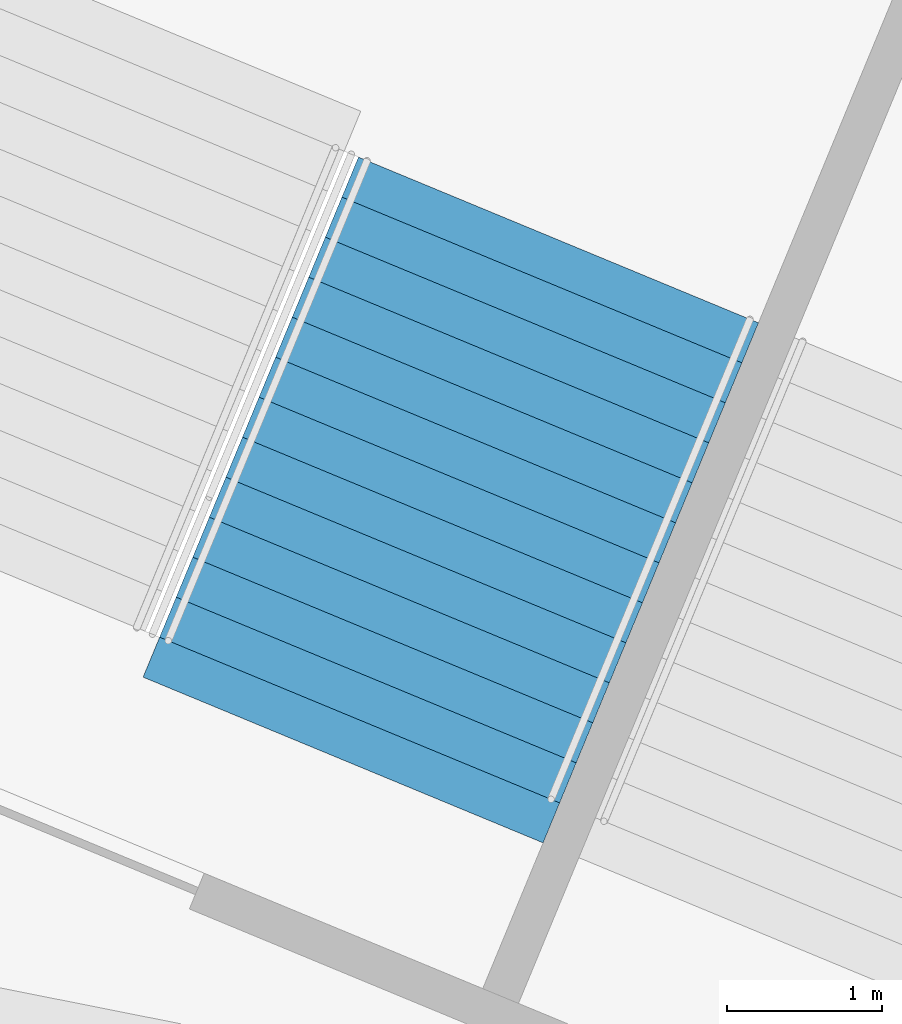
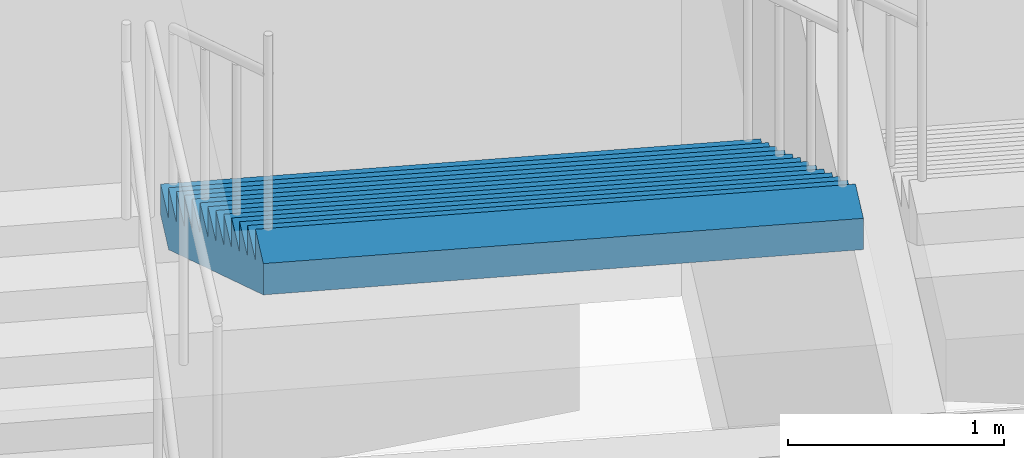
# One storey, part 180 of 199: 1 stair flight, 1 element without a shape of its own.
"""IFC4 building model written with IfcOpenShell, lengths in metres."""

from ifc_helpers import new_model, si_unit, direction, frame, origin, place, context, subcontext, project, spatial, faceted_brep, material, type_object, element, aggregate, save


model = new_model("IFC4")

# Units and contexts
model_context = context("Model", 3, precision=1e-05, world=origin(), true_north=direction((0.0, 1.0)))
body_context = subcontext(model_context, "Body", "Model", "MODEL_VIEW")
ifc_project = project(units=[si_unit("LENGTHUNIT", "METRE"), si_unit("AREAUNIT", "SQUARE_METRE"), si_unit("VOLUMEUNIT", "CUBIC_METRE"), si_unit("PLANEANGLEUNIT", "RADIAN"), si_unit("MASSUNIT", "GRAM", prefix="KILO")], contexts=[model_context])

# Site, building, storey
site_placement = place(None, origin())
site = spatial("IfcSite", under=ifc_project, at=site_placement, CompositionType="ELEMENT")
building_placement = place(site_placement, origin())
building = spatial("IfcBuilding", under=site, at=building_placement, Name="Ogive Plaza Stadium", CompositionType="ELEMENT")
storey_placement = place(building_placement, frame((0.0, 0.0, 9.0)))
storey = spatial("IfcBuildingStorey", under=building, at=storey_placement, Name="L02", CompositionType="ELEMENT", Elevation=9.0)

# Stair, stair flight
ifc_material_1 = material(Name="Concrete C40/50", Category="concrete")
stair_type = type_object("IfcStairType", Name="Exit stair", PredefinedType="STRAIGHT_RUN_STAIR", material=ifc_material_1)
stair_placement = place(storey_placement, origin())
stair = element("IfcStair", 1, at=stair_placement, inside=storey, type_object=stair_type, Name="Exit stair ST38B L02 to L03", PredefinedType="STRAIGHT_RUN_STAIR")
ifc_material_2 = material(Name="Concrete C40/50", Category="concrete")
stair_flight_type = type_object("IfcStairFlightType", Name="Exit stair flight", PredefinedType="STRAIGHT", material=ifc_material_2)
stair_flight_placement = place(storey_placement, frame((50.08349609375, 95.314208984375, 2.25), z_axis=(0.0, 0.0, 1.0), x_axis=(-0.382683432365, -0.923879532511, 0.0)))
stair_flight = element("IfcStairFlight", 2, at=stair_flight_placement, type_object=stair_flight_type, Name="ST38B flight 2", NumberOfRisers=13, NumberOfTreads=12, PredefinedType="STRAIGHT", RiserHeight=0.173076923, TreadLength=0.28, context=body_context, shape_type="Brep", body=[
    faceted_brep([(0.28515625, -1.39990234375, 0.0), (3.639892578125, -1.39990234375, 2.07373046875), (3.639892578125, -1.39990234375, 2.25), (3.360107421875, -1.39990234375, 2.25), (3.360107421875, -1.39990234375, 2.076904296875), (3.080078125, -1.39990234375, 2.076904296875), (3.080078125, -1.39990234375, 1.90380859375), (2.800048828125, -1.39990234375, 1.90380859375), (2.800048828125, -1.39990234375, 1.730712890625), (2.52001953125, -1.39990234375, 1.730712890625), (2.52001953125, -1.39990234375, 1.5576171875), (2.239990234375, -1.39990234375, 1.5576171875), (2.239990234375, -1.39990234375, 1.384521484375), (1.9599609375, -1.39990234375, 1.384521484375), (1.9599609375, -1.39990234375, 1.21142578125), (1.679931640625, -1.39990234375, 1.21142578125), (1.679931640625, -1.39990234375, 1.03857421875), (1.39990234375, -1.39990234375, 1.03857421875), (1.39990234375, -1.39990234375, 0.865478515625), (1.1201171875, -1.39990234375, 0.865478515625), (1.1201171875, -1.39990234375, 0.6923828125), (0.840087890625, -1.39990234375, 0.6923828125), (0.840087890625, -1.39990234375, 0.519287109375), (0.56005859375, -1.39990234375, 0.519287109375), (0.56005859375, -1.39990234375, 0.34619140625), (0.280029296875, -1.39990234375, 0.34619140625), (0.280029296875, -1.39990234375, 0.173095703125), (0.0, -1.39990234375, 0.173095703125), (0.0, -1.39990234375, 0.0), (0.0, 1.39990234375, 0.0), (0.0, 1.39990234375, 0.173095703125), (0.280029296875, 1.39990234375, 0.173095703125), (0.280029296875, 1.39990234375, 0.34619140625), (0.56005859375, 1.39990234375, 0.34619140625), (0.56005859375, 1.39990234375, 0.519287109375), (0.840087890625, 1.39990234375, 0.519287109375), (0.840087890625, 1.39990234375, 0.6923828125), (1.1201171875, 1.39990234375, 0.6923828125), (1.1201171875, 1.39990234375, 0.865478515625), (1.39990234375, 1.39990234375, 0.865478515625), (1.39990234375, 1.39990234375, 1.03857421875), (1.679931640625, 1.39990234375, 1.03857421875), (1.679931640625, 1.39990234375, 1.21142578125), (1.9599609375, 1.39990234375, 1.21142578125), (1.9599609375, 1.39990234375, 1.384521484375), (2.239990234375, 1.39990234375, 1.384521484375), (2.239990234375, 1.39990234375, 1.5576171875), (2.52001953125, 1.39990234375, 1.5576171875), (2.52001953125, 1.39990234375, 1.730712890625), (2.800048828125, 1.39990234375, 1.730712890625), (2.800048828125, 1.39990234375, 1.90380859375), (3.080078125, 1.39990234375, 1.90380859375), (3.080078125, 1.39990234375, 2.076904296875), (3.360107421875, 1.39990234375, 2.076904296875), (3.360107421875, 1.39990234375, 2.25), (3.639892578125, 1.39990234375, 2.25), (3.639892578125, 1.39990234375, 2.07373046875), (0.28515625, 1.39990234375, 0.0), (0.28515625, -1.0888671875, 0.0), (3.639892578125, -1.0888671875, 2.07373046875), (0.28515625, -0.77783203125, 0.0), (3.639892578125, -0.77783203125, 2.07373046875), (0.28515625, -0.466796875, 0.0), (3.639892578125, -0.466796875, 2.07373046875), (0.28515625, -0.155517578125, 0.0), (3.639892578125, -0.155517578125, 2.07373046875), (0.28515625, 0.155517578125, 0.0), (3.639892578125, 0.155517578125, 2.07373046875), (0.28515625, 0.466796875, 0.0), (3.639892578125, 0.466796875, 2.07373046875), (0.28515625, 0.77783203125, 0.0), (3.639892578125, 0.77783203125, 2.07373046875), (0.28515625, 1.0888671875, 0.0), (3.639892578125, 1.0888671875, 2.07373046875), (3.639892578125, -1.0888671875, 2.25), (3.639892578125, -0.77783203125, 2.25), (3.639892578125, -0.466796875, 2.25), (3.639892578125, -0.155517578125, 2.25), (3.639892578125, 0.155517578125, 2.25), (3.639892578125, 0.466796875, 2.25), (3.639892578125, 0.77783203125, 2.25), (3.639892578125, 1.0888671875, 2.25), (3.360107421875, -1.0888671875, 2.25), (3.360107421875, -0.77783203125, 2.25), (3.360107421875, -0.466796875, 2.25), (3.360107421875, -0.155517578125, 2.25), (3.360107421875, 0.155517578125, 2.25), (3.360107421875, 0.466796875, 2.25), (3.360107421875, 0.77783203125, 2.25), (3.360107421875, 1.0888671875, 2.25), (3.360107421875, -1.0888671875, 2.076904296875), (3.360107421875, -0.77783203125, 2.076904296875), (3.360107421875, -0.466796875, 2.076904296875), (3.360107421875, -0.155517578125, 2.076904296875), (3.360107421875, 0.155517578125, 2.076904296875), (3.360107421875, 0.466796875, 2.076904296875), (3.360107421875, 0.77783203125, 2.076904296875), (3.360107421875, 1.0888671875, 2.076904296875), (3.080078125, -1.0888671875, 2.076904296875), (3.080078125, -0.77783203125, 2.076904296875), (3.080078125, -0.466796875, 2.076904296875), (3.080078125, -0.155517578125, 2.076904296875), (3.080078125, 0.155517578125, 2.076904296875), (3.080078125, 0.466796875, 2.076904296875), (3.080078125, 0.77783203125, 2.076904296875), (3.080078125, 1.0888671875, 2.076904296875), (3.080078125, -1.0888671875, 1.90380859375), (3.080078125, -0.77783203125, 1.90380859375), (3.080078125, -0.466796875, 1.90380859375), (3.080078125, -0.155517578125, 1.90380859375), (3.080078125, 0.155517578125, 1.90380859375), (3.080078125, 0.466796875, 1.90380859375), (3.080078125, 0.77783203125, 1.90380859375), (3.080078125, 1.0888671875, 1.90380859375), (2.800048828125, -1.0888671875, 1.90380859375), (2.800048828125, -0.77783203125, 1.90380859375), (2.800048828125, -0.466796875, 1.90380859375), (2.800048828125, -0.155517578125, 1.90380859375), (2.800048828125, 0.155517578125, 1.90380859375), (2.800048828125, 0.466796875, 1.90380859375), (2.800048828125, 0.77783203125, 1.90380859375), (2.800048828125, 1.0888671875, 1.90380859375), (2.800048828125, -1.0888671875, 1.730712890625), (2.800048828125, -0.77783203125, 1.730712890625), (2.800048828125, -0.466796875, 1.730712890625), (2.800048828125, -0.155517578125, 1.730712890625), (2.800048828125, 0.155517578125, 1.730712890625), (2.800048828125, 0.466796875, 1.730712890625), (2.800048828125, 0.77783203125, 1.730712890625), (2.800048828125, 1.0888671875, 1.730712890625), (2.52001953125, -1.0888671875, 1.730712890625), (2.52001953125, -0.77783203125, 1.730712890625), (2.52001953125, -0.466796875, 1.730712890625), (2.52001953125, -0.155517578125, 1.730712890625), (2.52001953125, 0.155517578125, 1.730712890625), (2.52001953125, 0.466796875, 1.730712890625), (2.52001953125, 0.77783203125, 1.730712890625), (2.52001953125, 1.0888671875, 1.730712890625), (2.52001953125, -1.0888671875, 1.5576171875), (2.52001953125, -0.77783203125, 1.5576171875), (2.52001953125, -0.466796875, 1.5576171875), (2.52001953125, -0.155517578125, 1.5576171875), (2.52001953125, 0.155517578125, 1.5576171875), (2.52001953125, 0.466796875, 1.5576171875), (2.52001953125, 0.77783203125, 1.5576171875), (2.52001953125, 1.0888671875, 1.5576171875), (2.239990234375, -1.0888671875, 1.5576171875), (2.239990234375, -0.77783203125, 1.5576171875), (2.239990234375, -0.466796875, 1.5576171875), (2.239990234375, -0.155517578125, 1.5576171875), (2.239990234375, 0.155517578125, 1.5576171875), (2.239990234375, 0.466796875, 1.5576171875), (2.239990234375, 0.77783203125, 1.5576171875), (2.239990234375, 1.0888671875, 1.5576171875), (2.239990234375, -1.0888671875, 1.384521484375), (2.239990234375, -0.77783203125, 1.384521484375), (2.239990234375, -0.466796875, 1.384521484375), (2.239990234375, -0.155517578125, 1.384521484375), (2.239990234375, 0.155517578125, 1.384521484375), (2.239990234375, 0.466796875, 1.384521484375), (2.239990234375, 0.77783203125, 1.384521484375), (2.239990234375, 1.0888671875, 1.384521484375), (1.9599609375, -1.0888671875, 1.384521484375), (1.9599609375, -0.77783203125, 1.384521484375), (1.9599609375, -0.466796875, 1.384521484375), (1.9599609375, -0.155517578125, 1.384521484375), (1.9599609375, 0.155517578125, 1.384521484375), (1.9599609375, 0.466796875, 1.384521484375), (1.9599609375, 0.77783203125, 1.384521484375), (1.9599609375, 1.0888671875, 1.384521484375), (1.9599609375, -1.0888671875, 1.21142578125), (1.9599609375, -0.77783203125, 1.21142578125), (1.9599609375, -0.466796875, 1.21142578125), (1.9599609375, -0.155517578125, 1.21142578125), (1.9599609375, 0.155517578125, 1.21142578125), (1.9599609375, 0.466796875, 1.21142578125), (1.9599609375, 0.77783203125, 1.21142578125), (1.9599609375, 1.0888671875, 1.21142578125), (1.679931640625, -1.0888671875, 1.21142578125), (1.679931640625, -0.77783203125, 1.21142578125), (1.679931640625, -0.466796875, 1.21142578125), (1.679931640625, -0.155517578125, 1.21142578125), (1.679931640625, 0.155517578125, 1.21142578125), (1.679931640625, 0.466796875, 1.21142578125), (1.679931640625, 0.77783203125, 1.21142578125), (1.679931640625, 1.0888671875, 1.21142578125), (1.679931640625, -1.0888671875, 1.03857421875), (1.679931640625, -0.77783203125, 1.03857421875), (1.679931640625, -0.466796875, 1.03857421875), (1.679931640625, -0.155517578125, 1.03857421875), (1.679931640625, 0.155517578125, 1.03857421875), (1.679931640625, 0.466796875, 1.03857421875), (1.679931640625, 0.77783203125, 1.03857421875), (1.679931640625, 1.0888671875, 1.03857421875), (1.39990234375, -1.0888671875, 1.03857421875), (1.39990234375, -0.77783203125, 1.03857421875), (1.39990234375, -0.466796875, 1.03857421875), (1.39990234375, -0.155517578125, 1.03857421875), (1.39990234375, 0.155517578125, 1.03857421875), (1.39990234375, 0.466796875, 1.03857421875), (1.39990234375, 0.77783203125, 1.03857421875), (1.39990234375, 1.0888671875, 1.03857421875), (1.39990234375, -1.0888671875, 0.865478515625), (1.39990234375, -0.77783203125, 0.865478515625), (1.39990234375, -0.466796875, 0.865478515625), (1.39990234375, -0.155517578125, 0.865478515625), (1.39990234375, 0.155517578125, 0.865478515625), (1.39990234375, 0.466796875, 0.865478515625), (1.39990234375, 0.77783203125, 0.865478515625), (1.39990234375, 1.0888671875, 0.865478515625), (1.1201171875, -1.0888671875, 0.865478515625), (1.1201171875, -0.77783203125, 0.865478515625), (1.1201171875, -0.466796875, 0.865478515625), (1.1201171875, -0.155517578125, 0.865478515625), (1.1201171875, 0.155517578125, 0.865478515625), (1.1201171875, 0.466796875, 0.865478515625), (1.1201171875, 0.77783203125, 0.865478515625), (1.1201171875, 1.0888671875, 0.865478515625), (1.1201171875, -1.0888671875, 0.6923828125), (1.1201171875, -0.77783203125, 0.6923828125), (1.1201171875, -0.466796875, 0.6923828125), (1.1201171875, -0.155517578125, 0.6923828125), (1.1201171875, 0.155517578125, 0.6923828125), (1.1201171875, 0.466796875, 0.6923828125), (1.1201171875, 0.77783203125, 0.6923828125), (1.1201171875, 1.0888671875, 0.6923828125), (0.840087890625, -1.0888671875, 0.6923828125), (0.840087890625, -0.77783203125, 0.6923828125), (0.840087890625, -0.466796875, 0.6923828125), (0.840087890625, -0.155517578125, 0.6923828125), (0.840087890625, 0.155517578125, 0.6923828125), (0.840087890625, 0.466796875, 0.6923828125), (0.840087890625, 0.77783203125, 0.6923828125), (0.840087890625, 1.0888671875, 0.6923828125), (0.840087890625, -1.0888671875, 0.519287109375), (0.840087890625, -0.77783203125, 0.519287109375), (0.840087890625, -0.466796875, 0.519287109375), (0.840087890625, -0.155517578125, 0.519287109375), (0.840087890625, 0.155517578125, 0.519287109375), (0.840087890625, 0.466796875, 0.519287109375), (0.840087890625, 0.77783203125, 0.519287109375), (0.840087890625, 1.0888671875, 0.519287109375), (0.56005859375, -1.0888671875, 0.519287109375), (0.56005859375, -0.77783203125, 0.519287109375), (0.56005859375, -0.466796875, 0.519287109375), (0.56005859375, -0.155517578125, 0.519287109375), (0.56005859375, 0.155517578125, 0.519287109375), (0.56005859375, 0.466796875, 0.519287109375), (0.56005859375, 0.77783203125, 0.519287109375), (0.56005859375, 1.0888671875, 0.519287109375), (0.56005859375, -1.0888671875, 0.34619140625), (0.56005859375, -0.77783203125, 0.34619140625), (0.56005859375, -0.466796875, 0.34619140625), (0.56005859375, -0.155517578125, 0.34619140625), (0.56005859375, 0.155517578125, 0.34619140625), (0.56005859375, 0.466796875, 0.34619140625), (0.56005859375, 0.77783203125, 0.34619140625), (0.56005859375, 1.0888671875, 0.34619140625), (0.280029296875, -1.0888671875, 0.34619140625), (0.280029296875, -0.77783203125, 0.34619140625), (0.280029296875, -0.466796875, 0.34619140625), (0.280029296875, -0.155517578125, 0.34619140625), (0.280029296875, 0.155517578125, 0.34619140625), (0.280029296875, 0.466796875, 0.34619140625), (0.280029296875, 0.77783203125, 0.34619140625), (0.280029296875, 1.0888671875, 0.34619140625), (0.280029296875, -1.0888671875, 0.173095703125), (0.280029296875, -0.77783203125, 0.173095703125), (0.280029296875, -0.466796875, 0.173095703125), (0.280029296875, -0.155517578125, 0.173095703125), (0.280029296875, 0.155517578125, 0.173095703125), (0.280029296875, 0.466796875, 0.173095703125), (0.280029296875, 0.77783203125, 0.173095703125), (0.280029296875, 1.0888671875, 0.173095703125), (0.0, -1.0888671875, 0.173095703125), (0.0, -0.77783203125, 0.173095703125), (0.0, -0.466796875, 0.173095703125), (0.0, -0.155517578125, 0.173095703125), (0.0, 0.155517578125, 0.173095703125), (0.0, 0.466796875, 0.173095703125), (0.0, 0.77783203125, 0.173095703125), (0.0, 1.0888671875, 0.173095703125), (0.0, -1.0888671875, 0.0), (0.0, -0.77783203125, 0.0), (0.0, -0.466796875, 0.0), (0.0, -0.155517578125, 0.0), (0.0, 0.155517578125, 0.0), (0.0, 0.466796875, 0.0), (0.0, 0.77783203125, 0.0), (0.0, 1.0888671875, 0.0)], [[[0, 1, 2, 3, 4, 5, 6, 7, 8, 9, 10, 11, 12, 13, 14, 15, 16, 17, 18, 19, 20, 21, 22, 23, 24, 25, 26, 27, 28]], [[29, 30, 31, 32, 33, 34, 35, 36, 37, 38, 39, 40, 41, 42, 43, 44, 45, 46, 47, 48, 49, 50, 51, 52, 53, 54, 55, 56, 57]], [[0, 58, 59, 1]], [[58, 60, 61, 59]], [[60, 62, 63, 61]], [[62, 64, 65, 63]], [[64, 66, 67, 65]], [[66, 68, 69, 67]], [[68, 70, 71, 69]], [[70, 72, 73, 71]], [[72, 57, 56, 73]], [[1, 59, 74, 2]], [[59, 61, 75, 74]], [[61, 63, 76, 75]], [[63, 65, 77, 76]], [[65, 67, 78, 77]], [[67, 69, 79, 78]], [[69, 71, 80, 79]], [[71, 73, 81, 80]], [[73, 56, 55, 81]], [[2, 74, 82, 3]], [[74, 75, 83, 82]], [[75, 76, 84, 83]], [[76, 77, 85, 84]], [[77, 78, 86, 85]], [[78, 79, 87, 86]], [[79, 80, 88, 87]], [[80, 81, 89, 88]], [[81, 55, 54, 89]], [[3, 82, 90, 4]], [[82, 83, 91, 90]], [[83, 84, 92, 91]], [[84, 85, 93, 92]], [[85, 86, 94, 93]], [[86, 87, 95, 94]], [[87, 88, 96, 95]], [[88, 89, 97, 96]], [[89, 54, 53, 97]], [[4, 90, 98, 5]], [[90, 91, 99, 98]], [[91, 92, 100, 99]], [[92, 93, 101, 100]], [[93, 94, 102, 101]], [[94, 95, 103, 102]], [[95, 96, 104, 103]], [[96, 97, 105, 104]], [[97, 53, 52, 105]], [[5, 98, 106, 6]], [[98, 99, 107, 106]], [[99, 100, 108, 107]], [[100, 101, 109, 108]], [[101, 102, 110, 109]], [[102, 103, 111, 110]], [[103, 104, 112, 111]], [[104, 105, 113, 112]], [[105, 52, 51, 113]], [[6, 106, 114, 7]], [[106, 107, 115, 114]], [[107, 108, 116, 115]], [[108, 109, 117, 116]], [[109, 110, 118, 117]], [[110, 111, 119, 118]], [[111, 112, 120, 119]], [[112, 113, 121, 120]], [[113, 51, 50, 121]], [[7, 114, 122, 8]], [[114, 115, 123, 122]], [[115, 116, 124, 123]], [[116, 117, 125, 124]], [[117, 118, 126, 125]], [[118, 119, 127, 126]], [[119, 120, 128, 127]], [[120, 121, 129, 128]], [[121, 50, 49, 129]], [[8, 122, 130, 9]], [[122, 123, 131, 130]], [[123, 124, 132, 131]], [[124, 125, 133, 132]], [[125, 126, 134, 133]], [[126, 127, 135, 134]], [[127, 128, 136, 135]], [[128, 129, 137, 136]], [[129, 49, 48, 137]], [[9, 130, 138, 10]], [[130, 131, 139, 138]], [[131, 132, 140, 139]], [[132, 133, 141, 140]], [[133, 134, 142, 141]], [[134, 135, 143, 142]], [[135, 136, 144, 143]], [[136, 137, 145, 144]], [[137, 48, 47, 145]], [[10, 138, 146, 11]], [[138, 139, 147, 146]], [[139, 140, 148, 147]], [[140, 141, 149, 148]], [[141, 142, 150, 149]], [[142, 143, 151, 150]], [[143, 144, 152, 151]], [[144, 145, 153, 152]], [[145, 47, 46, 153]], [[11, 146, 154, 12]], [[146, 147, 155, 154]], [[147, 148, 156, 155]], [[148, 149, 157, 156]], [[149, 150, 158, 157]], [[150, 151, 159, 158]], [[151, 152, 160, 159]], [[152, 153, 161, 160]], [[153, 46, 45, 161]], [[12, 154, 162, 13]], [[154, 155, 163, 162]], [[155, 156, 164, 163]], [[156, 157, 165, 164]], [[157, 158, 166, 165]], [[158, 159, 167, 166]], [[159, 160, 168, 167]], [[160, 161, 169, 168]], [[161, 45, 44, 169]], [[13, 162, 170, 14]], [[162, 163, 171, 170]], [[163, 164, 172, 171]], [[164, 165, 173, 172]], [[165, 166, 174, 173]], [[166, 167, 175, 174]], [[167, 168, 176, 175]], [[168, 169, 177, 176]], [[169, 44, 43, 177]], [[14, 170, 178, 15]], [[170, 171, 179, 178]], [[171, 172, 180, 179]], [[172, 173, 181, 180]], [[173, 174, 182, 181]], [[174, 175, 183, 182]], [[175, 176, 184, 183]], [[176, 177, 185, 184]], [[177, 43, 42, 185]], [[15, 178, 186, 16]], [[178, 179, 187, 186]], [[179, 180, 188, 187]], [[180, 181, 189, 188]], [[181, 182, 190, 189]], [[182, 183, 191, 190]], [[183, 184, 192, 191]], [[184, 185, 193, 192]], [[185, 42, 41, 193]], [[16, 186, 194, 17]], [[186, 187, 195, 194]], [[187, 188, 196, 195]], [[188, 189, 197, 196]], [[189, 190, 198, 197]], [[190, 191, 199, 198]], [[191, 192, 200, 199]], [[192, 193, 201, 200]], [[193, 41, 40, 201]], [[17, 194, 202, 18]], [[194, 195, 203, 202]], [[195, 196, 204, 203]], [[196, 197, 205, 204]], [[197, 198, 206, 205]], [[198, 199, 207, 206]], [[199, 200, 208, 207]], [[200, 201, 209, 208]], [[201, 40, 39, 209]], [[18, 202, 210, 19]], [[202, 203, 211, 210]], [[203, 204, 212, 211]], [[204, 205, 213, 212]], [[205, 206, 214, 213]], [[206, 207, 215, 214]], [[207, 208, 216, 215]], [[208, 209, 217, 216]], [[209, 39, 38, 217]], [[19, 210, 218, 20]], [[210, 211, 219, 218]], [[211, 212, 220, 219]], [[212, 213, 221, 220]], [[213, 214, 222, 221]], [[214, 215, 223, 222]], [[215, 216, 224, 223]], [[216, 217, 225, 224]], [[217, 38, 37, 225]], [[20, 218, 226, 21]], [[218, 219, 227, 226]], [[219, 220, 228, 227]], [[220, 221, 229, 228]], [[221, 222, 230, 229]], [[222, 223, 231, 230]], [[223, 224, 232, 231]], [[224, 225, 233, 232]], [[225, 37, 36, 233]], [[21, 226, 234, 22]], [[226, 227, 235, 234]], [[227, 228, 236, 235]], [[228, 229, 237, 236]], [[229, 230, 238, 237]], [[230, 231, 239, 238]], [[231, 232, 240, 239]], [[232, 233, 241, 240]], [[233, 36, 35, 241]], [[22, 234, 242, 23]], [[234, 235, 243, 242]], [[235, 236, 244, 243]], [[236, 237, 245, 244]], [[237, 238, 246, 245]], [[238, 239, 247, 246]], [[239, 240, 248, 247]], [[240, 241, 249, 248]], [[241, 35, 34, 249]], [[23, 242, 250, 24]], [[242, 243, 251, 250]], [[243, 244, 252, 251]], [[244, 245, 253, 252]], [[245, 246, 254, 253]], [[246, 247, 255, 254]], [[247, 248, 256, 255]], [[248, 249, 257, 256]], [[249, 34, 33, 257]], [[24, 250, 258, 25]], [[250, 251, 259, 258]], [[251, 252, 260, 259]], [[252, 253, 261, 260]], [[253, 254, 262, 261]], [[254, 255, 263, 262]], [[255, 256, 264, 263]], [[256, 257, 265, 264]], [[257, 33, 32, 265]], [[25, 258, 266, 26]], [[258, 259, 267, 266]], [[259, 260, 268, 267]], [[260, 261, 269, 268]], [[261, 262, 270, 269]], [[262, 263, 271, 270]], [[263, 264, 272, 271]], [[264, 265, 273, 272]], [[265, 32, 31, 273]], [[26, 266, 274, 27]], [[266, 267, 275, 274]], [[267, 268, 276, 275]], [[268, 269, 277, 276]], [[269, 270, 278, 277]], [[270, 271, 279, 278]], [[271, 272, 280, 279]], [[272, 273, 281, 280]], [[273, 31, 30, 281]], [[27, 274, 282, 28]], [[274, 275, 283, 282]], [[275, 276, 284, 283]], [[276, 277, 285, 284]], [[277, 278, 286, 285]], [[278, 279, 287, 286]], [[279, 280, 288, 287]], [[280, 281, 289, 288]], [[281, 30, 29, 289]], [[28, 282, 58, 0]], [[282, 283, 60, 58]], [[283, 284, 62, 60]], [[284, 285, 64, 62]], [[285, 286, 66, 64]], [[286, 287, 68, 66]], [[287, 288, 70, 68]], [[288, 289, 72, 70]], [[289, 29, 57, 72]]]),
])
aggregate(stair, [stair_flight])

save(model, "model.ifc")
